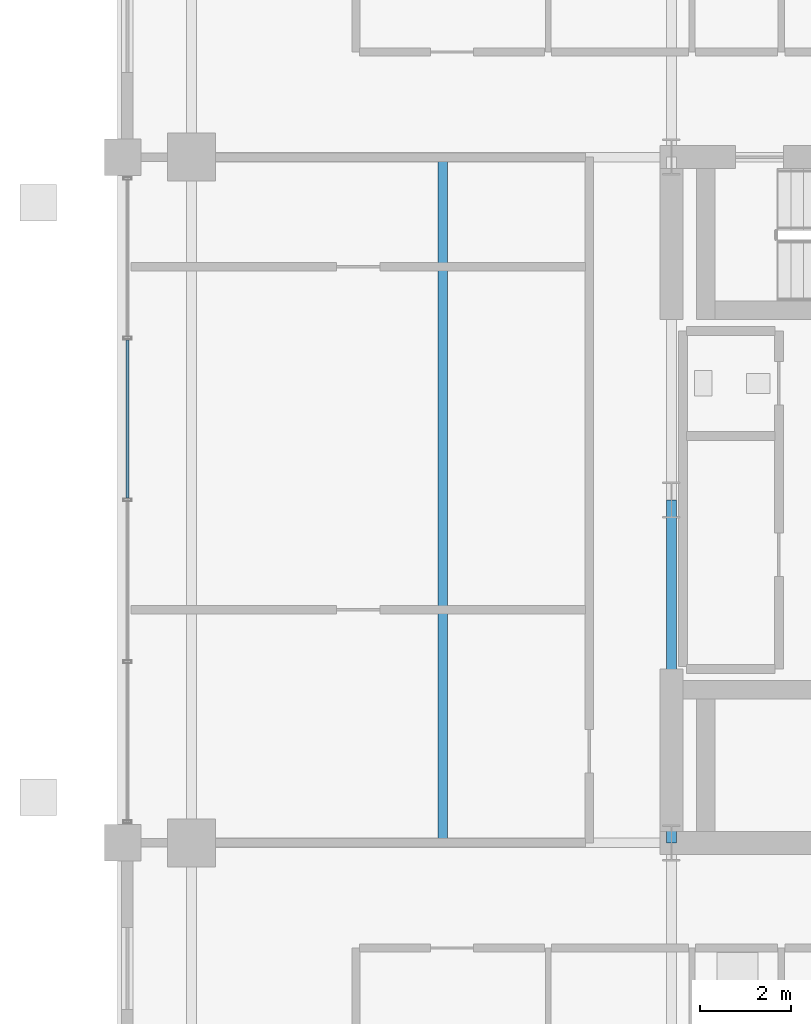
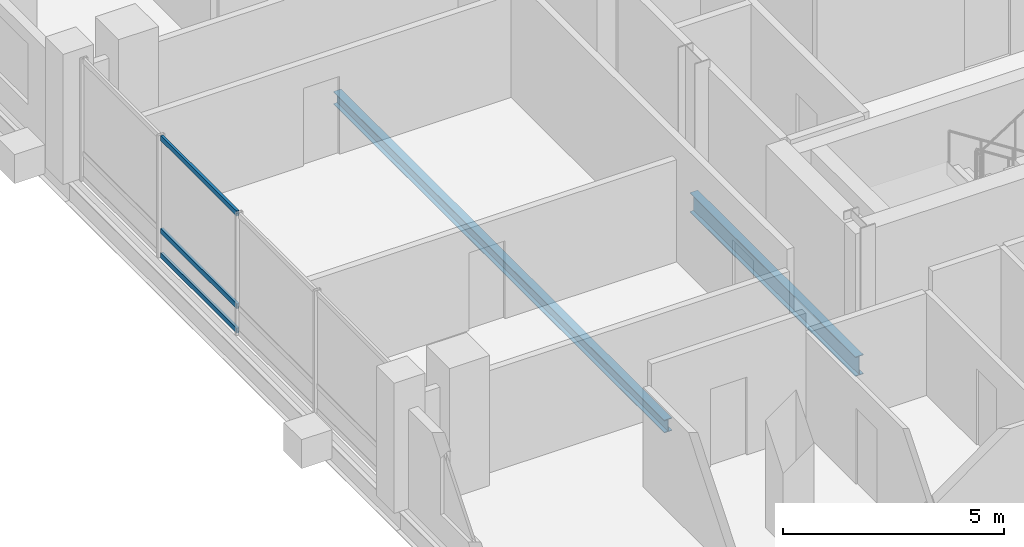
# One storey, part 7 of 24: 3 members, 2 beams, 1 element without a shape of its own.
"""IFC4 building model written with IfcOpenShell, lengths in metres."""

from ifc_helpers import new_model, si_unit, direction, frame, origin, origin_2d, place, context, subcontext, project, spatial, hollow_rectangle, i_section, extrude, material, layer, layer_set, material_profile, profile_set, type_object, element, aggregate, save


model = new_model("IFC4")

# Units and contexts
model_context = context("Model", 3, precision=1e-05, world=origin(), true_north=direction((0.0, 1.0)))
body_context = subcontext(model_context, "Body", "Model", "MODEL_VIEW")
ifc_project = project(units=[si_unit("LENGTHUNIT", "METRE"), si_unit("AREAUNIT", "SQUARE_METRE"), si_unit("VOLUMEUNIT", "CUBIC_METRE"), si_unit("PLANEANGLEUNIT", "RADIAN"), si_unit("MASSUNIT", "GRAM", prefix="KILO")], contexts=[model_context])

# Site, building, storey
site_placement = place(None, origin())
site = spatial("IfcSite", under=ifc_project, at=site_placement, CompositionType="ELEMENT")
building_placement = place(site_placement, origin())
building = spatial("IfcBuilding", under=site, at=building_placement, Name="Barlavira Tower and Art Museum", CompositionType="ELEMENT")
storey_placement = place(building_placement, frame((0.0, 0.0, 201.60009765625)))
storey = spatial("IfcBuildingStorey", under=building, at=storey_placement, Name="L52", CompositionType="ELEMENT", Elevation=201.60009765625)

# Curtain wall, members
ifc_material_1 = material(Name="Low-iron coastal laminated glass", Category="glass")
ifc_layer = layer(ifc_material_1, 0.199951171875, Name="Low-iron coastal laminated glass")
ifc_layer_set = layer_set([ifc_layer], Name="Low-iron coastal laminated glass")
curtain_wall_type = type_object("IfcCurtainWallType", Name="Pale-Metal Unitised Curtain Wall Zone 3", PredefinedType="NOTDEFINED", material=ifc_layer_set)
curtain_wall_placement = place(storey_placement, origin())
curtain_wall = element("IfcCurtainWall", 1, at=curtain_wall_placement, inside=storey, type_object=curtain_wall_type, Name="L52 Curtain Wall CW3-L52-W-B3", PredefinedType="NOTDEFINED")
ifc_material_2 = material(Name="Pale anodised aluminium", Category="aluminium")
ifc_material_profile_1 = material_profile(ifc_material_2, hollow_rectangle(XDim=0.06494140625, YDim=0.139892578125, WallThickness=0.00390625, at=origin_2d()), Name="ALU-TRAN 65x140x4")
ifc_profile_set_1 = profile_set([ifc_material_profile_1], Name="Pale anodised aluminium")
member_type = type_object("IfcMemberType", Name="Curtain Wall Pale-Metal Transom 65x140", PredefinedType="USERDEFINED", material=ifc_profile_set_1)
member_1_placement = place(storey_placement, frame((-18.39990234375, 3.4951171875, 0.06982421875), z_axis=(0.0, -1.0, 0.0), x_axis=(1.0, 0.0, 0.0)))
member_1 = element("IfcMember", 2, at=member_1_placement, type_object=member_type, Name="CW3-L52-W-B3 Transom 1.1", ObjectType="TRANSOM", PredefinedType="USERDEFINED", context=body_context, shape_type="SweptSolid", body=[
    extrude(hollow_rectangle(XDim=0.06494140625, YDim=0.139892578125, WallThickness=0.00390625, at=origin_2d()), origin(), (0.0, 0.0, 1.0), 3.4501953125),
])
member_2_placement = place(storey_placement, frame((-18.39990234375, 3.4951171875, 0.743896484375), z_axis=(0.0, -1.0, 0.0), x_axis=(1.0, 0.0, 0.0)))
member_2 = element("IfcMember", 3, at=member_2_placement, type_object=member_type, Name="CW3-L52-W-B3 Transom 1.2", ObjectType="TRANSOM", PredefinedType="USERDEFINED", context=body_context, shape_type="SweptSolid", body=[
    extrude(hollow_rectangle(XDim=0.06494140625, YDim=0.139892578125, WallThickness=0.00390625, at=origin_2d()), origin(), (0.0, 0.0, 1.0), 3.4501953125),
])
member_3_placement = place(storey_placement, frame((-18.39990234375, 3.4951171875, 3.309814453125), z_axis=(0.0, -1.0, 0.0), x_axis=(1.0, 0.0, 0.0)))
member_3 = element("IfcMember", 4, at=member_3_placement, type_object=member_type, Name="CW3-L52-W-B3 Transom 1.3", ObjectType="TRANSOM", PredefinedType="USERDEFINED", context=body_context, shape_type="SweptSolid", body=[
    extrude(hollow_rectangle(XDim=0.06494140625, YDim=0.139892578125, WallThickness=0.00390625, at=origin_2d()), origin(), (0.0, 0.0, 1.0), 3.4501953125),
])
aggregate(curtain_wall, [member_1, member_2, member_3])

# Beams
ifc_material_3 = material(Name="Steel S355", Category="steel")
ifc_material_profile_2 = material_profile(ifc_material_3, i_section(OverallWidth=0.205078125, OverallDepth=0.35400390625, WebThickness=0.009521484375, FlangeThickness=0.016845703125, at=origin_2d()), Name="W360x79.0")
ifc_profile_set_2 = profile_set([ifc_material_profile_2], Name="Steel S355")
beam_type_1 = type_object("IfcBeamType", Name="Zone 3 Composite Floor Joist W360x79 Steel S355", PredefinedType="JOIST", material=ifc_profile_set_2)
beam_1_placement = place(storey_placement, frame((-11.5, -7.5, -0.397216796875), z_axis=(0.0, 1.0, 0.0), x_axis=(-1.0, 0.0, 0.0)))
element("IfcBeam", 5, at=beam_1_placement, inside=storey, type_object=beam_type_1, Name="L52 Joist W1", PredefinedType="JOIST", context=body_context, shape_type="SweptSolid", body=[
    extrude(i_section(OverallWidth=0.205078125, OverallDepth=0.35400390625, WebThickness=0.009521484375, FlangeThickness=0.016845703125, at=origin_2d()), origin(), (0.0, 0.0, 1.0), 15.0),
])
ifc_material_profile_3 = material_profile(ifc_material_3, i_section(OverallWidth=0.2109375, OverallDepth=0.5390625, WebThickness=0.01171875, FlangeThickness=0.018798828125, at=origin_2d()), Name="W530x109.0")
ifc_profile_set_3 = profile_set([ifc_material_profile_3], Name="Steel S355")
beam_type_2 = type_object("IfcBeamType", Name="Zone 3-4 Primary Floor Girder W530x109 Steel S355", PredefinedType="BEAM", material=ifc_profile_set_3)
beam_2_placement = place(storey_placement, frame((-6.5, -7.5, -0.489501953125), z_axis=(0.0, 1.0, 0.0), x_axis=(-1.0, 0.0, 0.0)))
element("IfcBeam", 6, at=beam_2_placement, inside=storey, type_object=beam_type_2, Name="L52 Girder C-W1", PredefinedType="BEAM", context=body_context, shape_type="SweptSolid", body=[
    extrude(i_section(OverallWidth=0.2109375, OverallDepth=0.5390625, WebThickness=0.01171875, FlangeThickness=0.018798828125, at=origin_2d()), origin(), (0.0, 0.0, 1.0), 7.5),
])

save(model, "model.ifc")
